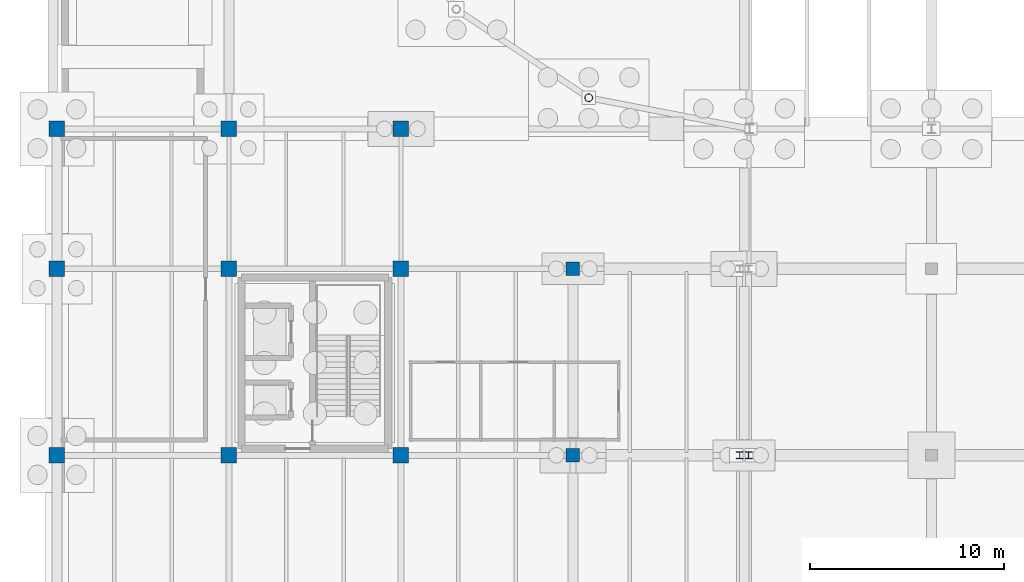
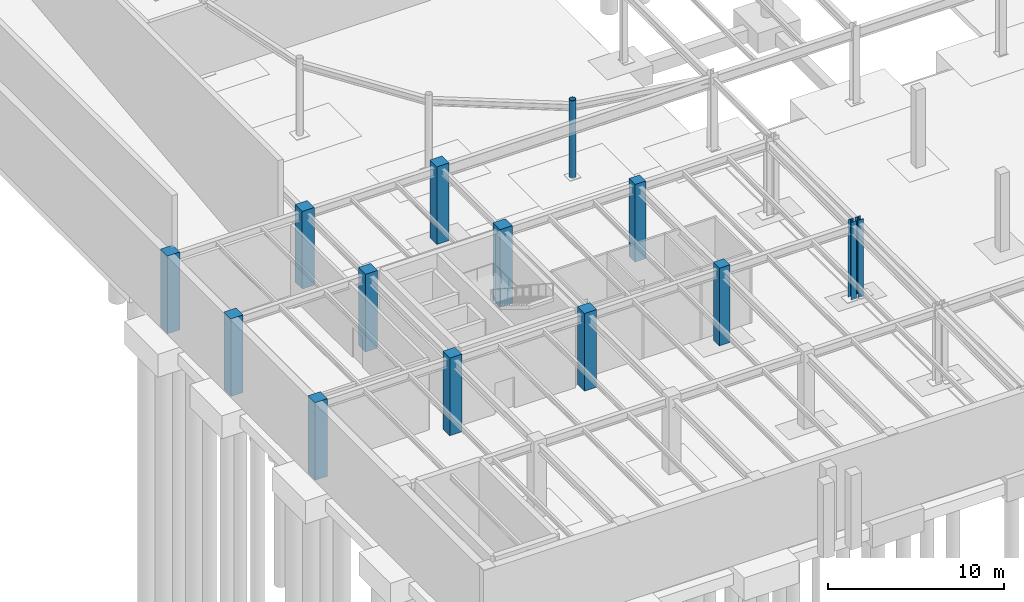
# One storey, part 12 of 50: 14 columns.
"""IFC4 building model written with IfcOpenShell, lengths in metres."""

from ifc_helpers import new_model, si_unit, direction, frame, origin, origin_2d, place, context, subcontext, project, spatial, rectangle, hollow_circle, i_section, extrude, material, material_profile, profile_set, type_object, element, save


model = new_model("IFC4")

# Units and contexts
model_context = context("Model", 3, precision=1e-05, world=origin(), true_north=direction((0.0, 1.0)))
body_context = subcontext(model_context, "Body", "Model", "MODEL_VIEW")
ifc_project = project(units=[si_unit("LENGTHUNIT", "METRE"), si_unit("AREAUNIT", "SQUARE_METRE"), si_unit("VOLUMEUNIT", "CUBIC_METRE"), si_unit("PLANEANGLEUNIT", "RADIAN"), si_unit("MASSUNIT", "GRAM", prefix="KILO")], contexts=[model_context])

# Site, building, storey
site_placement = place(None, origin())
site = spatial("IfcSite", under=ifc_project, at=site_placement, CompositionType="ELEMENT")
building_placement = place(site_placement, origin())
building = spatial("IfcBuilding", under=site, at=building_placement, Name="Yeouljin Market Hall", CompositionType="ELEMENT")
storey_placement = place(building_placement, frame((0.0, 0.0, -5.39990234375)))
storey = spatial("IfcBuildingStorey", under=building, at=storey_placement, Name="B1", CompositionType="ELEMENT", Elevation=-5.39990234375)

# Columns
ifc_material_1 = material(Name="Steel SM355", Category="steel")
ifc_material_profile_1 = material_profile(ifc_material_1, hollow_circle(Radius=0.203125, WallThickness=0.011962890625, at=origin_2d()), Name="CHS-406.4x12")
ifc_profile_set_1 = profile_set([ifc_material_profile_1], Name="Steel SM355")
column_type_1 = type_object("IfcColumnType", Name="Col_CHS-406.4x12", PredefinedType="COLUMN", material=ifc_profile_set_1)
column_placement = place(storey_placement, frame((27.363525390625, 37.598388671875, 0.0), z_axis=(0.0, 0.0, 1.0), x_axis=(1.0, 0.0, 0.0)))
element("IfcColumn", 1, at=column_placement, inside=storey, type_object=column_type_1, Name="Column AP-W02 (B1)", PredefinedType="COLUMN", context=body_context, shape_type="SweptSolid", body=[
    extrude(hollow_circle(Radius=0.203125, WallThickness=0.011962890625, at=origin_2d()), origin(), (0.0, 0.0, 1.0), 5.39990234375),
])
ifc_material_2 = material(Name="Steel SM355", Category="steel")
ifc_material_profile_2 = material_profile(ifc_material_2, i_section(OverallWidth=0.35009765625, OverallDepth=0.35009765625, WebThickness=0.011962890625, FlangeThickness=0.01904296875, FilletRadius=0.02001953125, at=origin_2d()), Name="H-350x350x12x19")
ifc_profile_set_2 = profile_set([ifc_material_profile_2], Name="Steel SM355")
column_type_2 = type_object("IfcColumnType", Name="Col_H-350x350x12x19", PredefinedType="COLUMN", material=ifc_profile_set_2)
for number, where, z_axis, x_axis, name in (
    (2, (35.1298828125, 19.199951171875, 0.0), (0.0, 0.0, 1.0), (1.0, 0.0, 0.0), "Column G-04-02 (B1)"),
    (3, (35.590087890625, 19.199951171875, 0.0), (0.0, 0.0, 1.0), (1.0, 0.0, 0.0), "Column G-05-02 (B1)"),
):
    element("IfcColumn", number, at=place(storey_placement, frame(where, z_axis=z_axis, x_axis=x_axis)), inside=storey, type_object=column_type_2, Name=name, PredefinedType="COLUMN", context=body_context, shape_type="SweptSolid", body=[
        extrude(i_section(OverallWidth=0.35009765625, OverallDepth=0.35009765625, WebThickness=0.011962890625, FlangeThickness=0.01904296875, FilletRadius=0.02001953125, at=origin_2d()), origin(), (0.0, 0.0, 1.0), 5.39990234375),
    ])
ifc_material_3 = material(Name="Concrete C35/45", Category="concrete")
ifc_material_profile_3 = material_profile(ifc_material_3, rectangle(XDim=0.699951171875, YDim=0.699951171875, at=origin_2d()), Name="RC-700x700")
ifc_profile_set_3 = profile_set([ifc_material_profile_3], Name="Concrete C35/45")
column_type_3 = type_object("IfcColumnType", Name="Col_RC-700x700", PredefinedType="COLUMN", material=ifc_profile_set_3)
for number, where, z_axis, x_axis, name in (
    (4, (26.550048828125, 19.199951171875, 0.0), (0.0, 0.0, 1.0), (1.0, 0.0, 0.0), "Column G-03-02 (B1)"),
    (5, (26.550048828125, 28.800048828125, 0.0), (0.0, 0.0, 1.0), (1.0, 0.0, 0.0), "Column G-03-03 (B1)"),
):
    element("IfcColumn", number, at=place(storey_placement, frame(where, z_axis=z_axis, x_axis=x_axis)), inside=storey, type_object=column_type_3, Name=name, PredefinedType="COLUMN", context=body_context, shape_type="SweptSolid", body=[
        extrude(rectangle(XDim=0.699951171875, YDim=0.699951171875, at=origin_2d()), origin(), (0.0, 0.0, 1.0), 5.39990234375),
    ])
ifc_material_4 = material(Name="Concrete C35/45", Category="concrete")
ifc_material_profile_4 = material_profile(ifc_material_4, rectangle(XDim=0.800048828125, YDim=0.800048828125, at=origin_2d()), Name="RC-800x800")
ifc_profile_set_4 = profile_set([ifc_material_profile_4], Name="Concrete C35/45")
column_type_4 = type_object("IfcColumnType", Name="Col_RC-800x800", PredefinedType="COLUMN", material=ifc_profile_set_4)
for number, where, z_axis, x_axis, name in (
    (6, (0.0, 19.199951171875, 0.0), (0.0, 0.0, 1.0), (1.0, 0.0, 0.0), "Column G-00-02 (B1)"),
    (7, (0.0, 28.800048828125, 0.0), (0.0, 0.0, 1.0), (1.0, 0.0, 0.0), "Column G-00-03 (B1)"),
    (8, (0.0, 36.0, 0.0), (0.0, 0.0, 1.0), (1.0, 0.0, 0.0), "Column G-00-04 (B1)"),
    (9, (8.85009765625, 19.199951171875, 0.0), (0.0, 0.0, 1.0), (1.0, 0.0, 0.0), "Column G-01-02 (B1)"),
    (10, (8.85009765625, 28.800048828125, 0.0), (0.0, 0.0, 1.0), (1.0, 0.0, 0.0), "Column G-01-03 (B1)"),
    (11, (8.85009765625, 36.0, 0.0), (0.0, 0.0, 1.0), (1.0, 0.0, 0.0), "Column G-01-04 (B1)"),
    (12, (17.699951171875, 19.199951171875, 0.0), (0.0, 0.0, 1.0), (1.0, 0.0, 0.0), "Column G-02-02 (B1)"),
    (13, (17.699951171875, 28.800048828125, 0.0), (0.0, 0.0, 1.0), (1.0, 0.0, 0.0), "Column G-02-03 (B1)"),
    (14, (17.699951171875, 36.0, 0.0), (0.0, 0.0, 1.0), (1.0, 0.0, 0.0), "Column G-02-04 (B1)"),
):
    element("IfcColumn", number, at=place(storey_placement, frame(where, z_axis=z_axis, x_axis=x_axis)), inside=storey, type_object=column_type_4, Name=name, PredefinedType="COLUMN", context=body_context, shape_type="SweptSolid", body=[
        extrude(rectangle(XDim=0.800048828125, YDim=0.800048828125, at=origin_2d()), origin(), (0.0, 0.0, 1.0), 5.39990234375),
    ])

save(model, "model.ifc")
